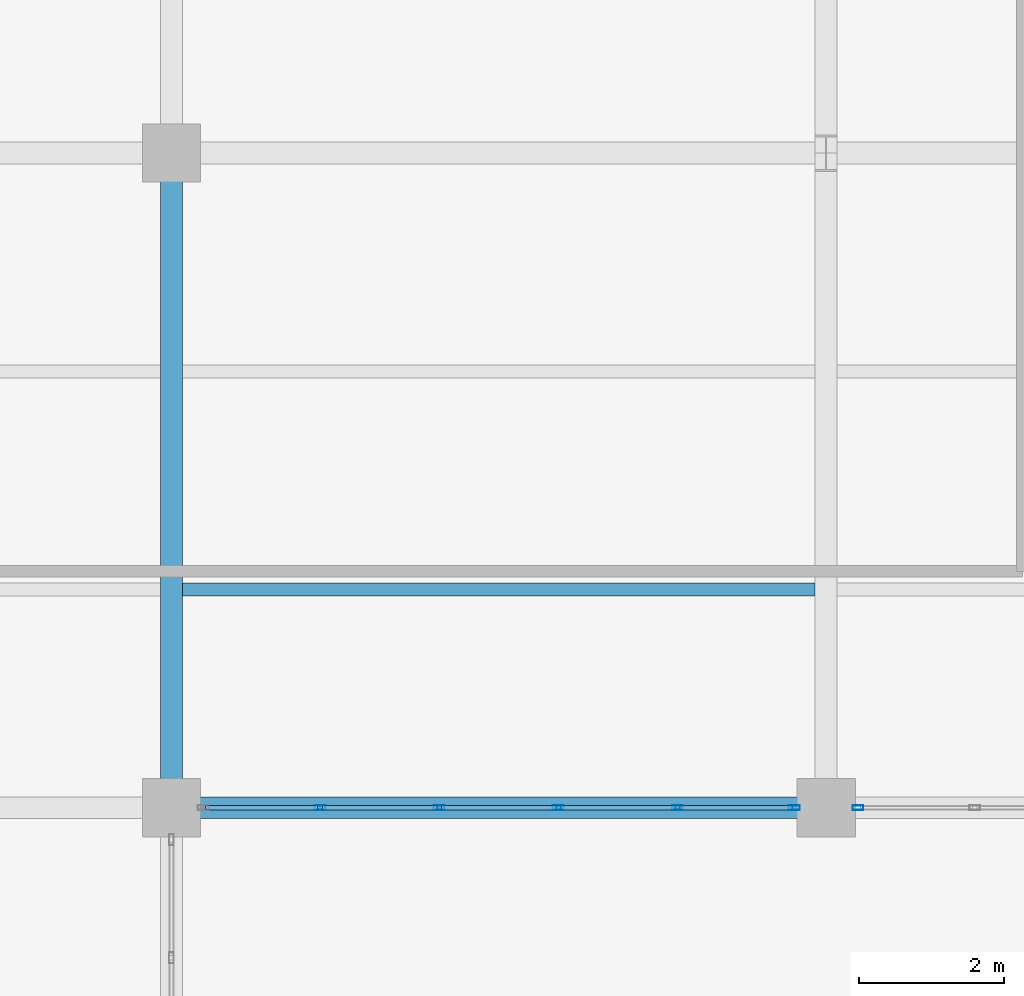
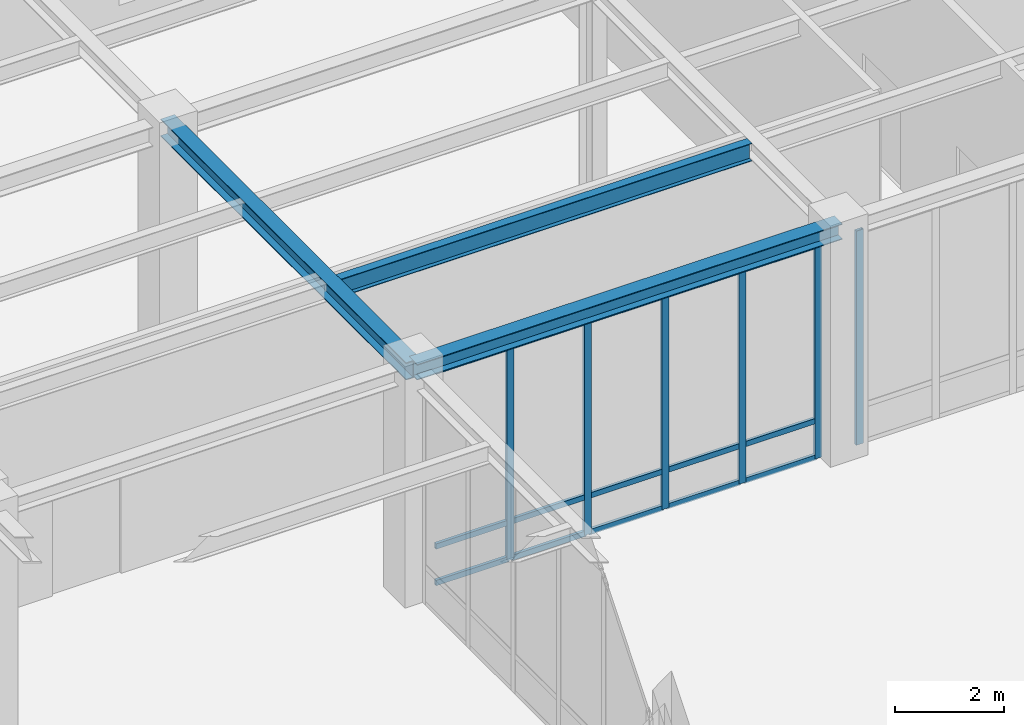
# One storey, part 48 of 77: 21 members, 3 beams, 2 elements without a shape of their own.
"""IFC4 building model written with IfcOpenShell, lengths in metres."""

from ifc_helpers import new_model, si_unit, direction, frame, origin, origin_2d, place, context, subcontext, project, spatial, hollow_rectangle, i_section, extrude, material, material_profile, profile_set, type_object, element, aggregate, save


model = new_model("IFC4")

# Units and contexts
model_context = context("Model", 3, precision=1e-05, world=origin(), true_north=direction((0.0, 1.0)))
body_context = subcontext(model_context, "Body", "Model", "MODEL_VIEW")
ifc_project = project(units=[si_unit("LENGTHUNIT", "METRE"), si_unit("AREAUNIT", "SQUARE_METRE"), si_unit("VOLUMEUNIT", "CUBIC_METRE"), si_unit("PLANEANGLEUNIT", "RADIAN"), si_unit("MASSUNIT", "GRAM", prefix="KILO")], contexts=[model_context])

# Site, building, storey
site_placement = place(None, origin())
site = spatial("IfcSite", under=ifc_project, at=site_placement, CompositionType="ELEMENT")
building_placement = place(site_placement, origin())
building = spatial("IfcBuilding", under=site, at=building_placement, Name="Lykobir Media Centre", CompositionType="ELEMENT")
storey_placement = place(building_placement, origin())
storey = spatial("IfcBuildingStorey", under=building, at=storey_placement, Name="L00", CompositionType="ELEMENT", Elevation=0.0)

# Beam
ifc_material_1 = material(Name="Steel S355", Category="steel")
ifc_material_profile_1 = material_profile(ifc_material_1, i_section(OverallWidth=0.300048828125, OverallDepth=0.389892578125, WebThickness=0.010986328125, FlangeThickness=0.01904296875, at=origin_2d()), Name="HEA 400")
ifc_profile_set_1 = profile_set([ifc_material_profile_1], Name="Steel S355")
beam_type_1 = type_object("IfcBeamType", Name="BM-HEA400", PredefinedType="BEAM", material=ifc_profile_set_1)
beam_1_placement = place(storey_placement, frame((108.0, 72.0, 4.965087890625), z_axis=(0.0, 1.0, 0.0), x_axis=(-1.0, 0.0, 0.0)))
element("IfcBeam", 1, at=beam_1_placement, inside=storey, type_object=beam_type_1, Name="Beam BM-L00-1080-0720-1080-0810-496", PredefinedType="BEAM", context=body_context, shape_type="SweptSolid", body=[
    extrude(i_section(OverallWidth=0.300048828125, OverallDepth=0.389892578125, WebThickness=0.010986328125, FlangeThickness=0.01904296875, at=origin_2d()), origin(), (0.0, 0.0, 1.0), 9.0),
])

# Curtain wall, members
ifc_material_2 = material(Name="Anodized Aluminium AW-6060", Category="aluminium")
curtain_wall_type = type_object("IfcCurtainWallType", Name="CW-COURT-A", PredefinedType="NOTDEFINED", material=ifc_material_2)
curtain_wall_1_placement = place(storey_placement, origin())
curtain_wall_1 = element("IfcCurtainWall", 2, at=curtain_wall_1_placement, inside=storey, type_object=curtain_wall_type, Name="Curtain wall CW2-L00-0008", PredefinedType="NOTDEFINED")
ifc_material_profile_2 = material_profile(ifc_material_2, hollow_rectangle(XDim=0.06494140625, YDim=0.14990234375, WallThickness=0.00341796875, at=origin_2d()), Name="ALU MULLION 65x150")
ifc_profile_set_2 = profile_set([ifc_material_profile_2], Name="Anodized Aluminium AW-6060")
member_type_1 = type_object("IfcMemberType", Name="CWM-150", PredefinedType="MULLION", material=ifc_profile_set_2)
member_1_placement = place(storey_placement, frame((116.5625, 72.0, 0.0), z_axis=(0.0, 0.0, 1.0), x_axis=(0.0, -1.0, 0.0)))
member_1 = element("IfcMember", 3, at=member_1_placement, type_object=member_type_1, Name="CW2-L00-0008 mullion 1", PredefinedType="MULLION", context=body_context, shape_type="SweptSolid", body=[
    extrude(hollow_rectangle(XDim=0.06494140625, YDim=0.14990234375, WallThickness=0.00341796875, at=origin_2d()), origin(), (0.0, 0.0, 1.0), 4.794921875),
])
member_2_placement = place(storey_placement, frame((114.95703125, 72.0, 0.0), z_axis=(0.0, 0.0, 1.0), x_axis=(0.0, -1.0, 0.0)))
member_2 = element("IfcMember", 4, at=member_2_placement, type_object=member_type_1, Name="CW2-L00-0008 mullion 2", PredefinedType="MULLION", context=body_context, shape_type="SweptSolid", body=[
    extrude(hollow_rectangle(XDim=0.06494140625, YDim=0.14990234375, WallThickness=0.00341796875, at=origin_2d()), origin(), (0.0, 0.0, 1.0), 4.794921875),
])
member_3_placement = place(storey_placement, frame((113.319091796875, 72.0, 0.0), z_axis=(0.0, 0.0, 1.0), x_axis=(0.0, -1.0, 0.0)))
member_3 = element("IfcMember", 5, at=member_3_placement, type_object=member_type_1, Name="CW2-L00-0008 mullion 3", PredefinedType="MULLION", context=body_context, shape_type="SweptSolid", body=[
    extrude(hollow_rectangle(XDim=0.06494140625, YDim=0.14990234375, WallThickness=0.00341796875, at=origin_2d()), origin(), (0.0, 0.0, 1.0), 4.794921875),
])
member_4_placement = place(storey_placement, frame((111.680908203125, 72.0, 0.0), z_axis=(0.0, 0.0, 1.0), x_axis=(0.0, -1.0, 0.0)))
member_4 = element("IfcMember", 6, at=member_4_placement, type_object=member_type_1, Name="CW2-L00-0008 mullion 4", PredefinedType="MULLION", context=body_context, shape_type="SweptSolid", body=[
    extrude(hollow_rectangle(XDim=0.06494140625, YDim=0.14990234375, WallThickness=0.00341796875, at=origin_2d()), origin(), (0.0, 0.0, 1.0), 4.794921875),
])
member_5_placement = place(storey_placement, frame((110.04296875, 72.0, 0.0), z_axis=(0.0, 0.0, 1.0), x_axis=(0.0, -1.0, 0.0)))
member_5 = element("IfcMember", 7, at=member_5_placement, type_object=member_type_1, Name="CW2-L00-0008 mullion 5", PredefinedType="MULLION", context=body_context, shape_type="SweptSolid", body=[
    extrude(hollow_rectangle(XDim=0.06494140625, YDim=0.14990234375, WallThickness=0.00341796875, at=origin_2d()), origin(), (0.0, 0.0, 1.0), 4.794921875),
])

# Curtain wall, member
curtain_wall_2_placement = place(storey_placement, origin())
curtain_wall_2 = element("IfcCurtainWall", 8, at=curtain_wall_2_placement, inside=storey, type_object=curtain_wall_type, Name="Curtain wall CW2-L00-0009", PredefinedType="NOTDEFINED")
member_6_placement = place(storey_placement, frame((117.4375, 72.0, 0.0), z_axis=(0.0, 0.0, 1.0), x_axis=(0.0, -1.0, 0.0)))
member_6 = element("IfcMember", 9, at=member_6_placement, type_object=member_type_1, Name="CW2-L00-0009 mullion 6", PredefinedType="MULLION", context=body_context, shape_type="SweptSolid", body=[
    extrude(hollow_rectangle(XDim=0.06494140625, YDim=0.14990234375, WallThickness=0.00341796875, at=origin_2d()), origin(), (0.0, 0.0, 1.0), 4.794921875),
])
aggregate(curtain_wall_2, [member_6])

# Member
ifc_material_profile_3 = material_profile(ifc_material_2, hollow_rectangle(XDim=0.06494140625, YDim=0.1201171875, WallThickness=0.0029296875, at=origin_2d()), Name="ALU TRANSOM 65x120")
ifc_profile_set_3 = profile_set([ifc_material_profile_3], Name="Anodized Aluminium AW-6060")
member_type_2 = type_object("IfcMemberType", Name="CWT-120", PredefinedType="USERDEFINED", material=ifc_profile_set_3)
member_7_placement = place(storey_placement, frame((116.530029296875, 72.0, 0.032470703125), z_axis=(-1.0, 0.0, 0.0), x_axis=(0.0, -1.0, 0.0)))
member_7 = element("IfcMember", 10, at=member_7_placement, type_object=member_type_2, Name="CW2-L00-0008 transom 1.1", ObjectType="TRANSOM", PredefinedType="USERDEFINED", context=body_context, shape_type="SweptSolid", body=[
    extrude(hollow_rectangle(XDim=0.06494140625, YDim=0.1201171875, WallThickness=0.0029296875, at=origin_2d()), origin(), (0.0, 0.0, 1.0), 1.54052734375),
])

member_8_placement = place(storey_placement, frame((116.530029296875, 72.0, 0.85009765625), z_axis=(-1.0, 0.0, 0.0), x_axis=(0.0, -1.0, 0.0)))
member_8 = element("IfcMember", 11, at=member_8_placement, type_object=member_type_2, Name="CW2-L00-0008 transom 1.2", ObjectType="TRANSOM", PredefinedType="USERDEFINED", context=body_context, shape_type="SweptSolid", body=[
    extrude(hollow_rectangle(XDim=0.06494140625, YDim=0.1201171875, WallThickness=0.0029296875, at=origin_2d()), origin(), (0.0, 0.0, 1.0), 1.54052734375),
])

member_9_placement = place(storey_placement, frame((116.530029296875, 72.0, 4.762451171875), z_axis=(-1.0, 0.0, 0.0), x_axis=(0.0, -1.0, 0.0)))
member_9 = element("IfcMember", 12, at=member_9_placement, type_object=member_type_2, Name="CW2-L00-0008 transom 1.3", ObjectType="TRANSOM", PredefinedType="USERDEFINED", context=body_context, shape_type="SweptSolid", body=[
    extrude(hollow_rectangle(XDim=0.06494140625, YDim=0.1201171875, WallThickness=0.0029296875, at=origin_2d()), origin(), (0.0, 0.0, 1.0), 1.54052734375),
])

member_10_placement = place(storey_placement, frame((114.924560546875, 72.0, 0.032470703125), z_axis=(-1.0, 0.0, 0.0), x_axis=(0.0, -1.0, 0.0)))
member_10 = element("IfcMember", 13, at=member_10_placement, type_object=member_type_2, Name="CW2-L00-0008 transom 2.1", ObjectType="TRANSOM", PredefinedType="USERDEFINED", context=body_context, shape_type="SweptSolid", body=[
    extrude(hollow_rectangle(XDim=0.06494140625, YDim=0.1201171875, WallThickness=0.0029296875, at=origin_2d()), origin(), (0.0, 0.0, 1.0), 1.572998046875),
])

member_11_placement = place(storey_placement, frame((114.924560546875, 72.0, 0.85009765625), z_axis=(-1.0, 0.0, 0.0), x_axis=(0.0, -1.0, 0.0)))
member_11 = element("IfcMember", 14, at=member_11_placement, type_object=member_type_2, Name="CW2-L00-0008 transom 2.2", ObjectType="TRANSOM", PredefinedType="USERDEFINED", context=body_context, shape_type="SweptSolid", body=[
    extrude(hollow_rectangle(XDim=0.06494140625, YDim=0.1201171875, WallThickness=0.0029296875, at=origin_2d()), origin(), (0.0, 0.0, 1.0), 1.572998046875),
])

member_12_placement = place(storey_placement, frame((114.924560546875, 72.0, 4.762451171875), z_axis=(-1.0, 0.0, 0.0), x_axis=(0.0, -1.0, 0.0)))
member_12 = element("IfcMember", 15, at=member_12_placement, type_object=member_type_2, Name="CW2-L00-0008 transom 2.3", ObjectType="TRANSOM", PredefinedType="USERDEFINED", context=body_context, shape_type="SweptSolid", body=[
    extrude(hollow_rectangle(XDim=0.06494140625, YDim=0.1201171875, WallThickness=0.0029296875, at=origin_2d()), origin(), (0.0, 0.0, 1.0), 1.572998046875),
])

member_13_placement = place(storey_placement, frame((113.28662109375, 72.0, 0.032470703125), z_axis=(-1.0, 0.0, 0.0), x_axis=(0.0, -1.0, 0.0)))
member_13 = element("IfcMember", 16, at=member_13_placement, type_object=member_type_2, Name="CW2-L00-0008 transom 3.1", ObjectType="TRANSOM", PredefinedType="USERDEFINED", context=body_context, shape_type="SweptSolid", body=[
    extrude(hollow_rectangle(XDim=0.06494140625, YDim=0.1201171875, WallThickness=0.0029296875, at=origin_2d()), origin(), (0.0, 0.0, 1.0), 1.5732421875),
])

member_14_placement = place(storey_placement, frame((113.28662109375, 72.0, 0.85009765625), z_axis=(-1.0, 0.0, 0.0), x_axis=(0.0, -1.0, 0.0)))
member_14 = element("IfcMember", 17, at=member_14_placement, type_object=member_type_2, Name="CW2-L00-0008 transom 3.2", ObjectType="TRANSOM", PredefinedType="USERDEFINED", context=body_context, shape_type="SweptSolid", body=[
    extrude(hollow_rectangle(XDim=0.06494140625, YDim=0.1201171875, WallThickness=0.0029296875, at=origin_2d()), origin(), (0.0, 0.0, 1.0), 1.5732421875),
])

member_15_placement = place(storey_placement, frame((113.28662109375, 72.0, 4.762451171875), z_axis=(-1.0, 0.0, 0.0), x_axis=(0.0, -1.0, 0.0)))
member_15 = element("IfcMember", 18, at=member_15_placement, type_object=member_type_2, Name="CW2-L00-0008 transom 3.3", ObjectType="TRANSOM", PredefinedType="USERDEFINED", context=body_context, shape_type="SweptSolid", body=[
    extrude(hollow_rectangle(XDim=0.06494140625, YDim=0.1201171875, WallThickness=0.0029296875, at=origin_2d()), origin(), (0.0, 0.0, 1.0), 1.5732421875),
])

member_16_placement = place(storey_placement, frame((111.6484375, 72.0, 0.032470703125), z_axis=(-1.0, 0.0, 0.0), x_axis=(0.0, -1.0, 0.0)))
member_16 = element("IfcMember", 19, at=member_16_placement, type_object=member_type_2, Name="CW2-L00-0008 transom 4.1", ObjectType="TRANSOM", PredefinedType="USERDEFINED", context=body_context, shape_type="SweptSolid", body=[
    extrude(hollow_rectangle(XDim=0.06494140625, YDim=0.1201171875, WallThickness=0.0029296875, at=origin_2d()), origin(), (0.0, 0.0, 1.0), 1.572998046875),
])

member_17_placement = place(storey_placement, frame((111.6484375, 72.0, 0.85009765625), z_axis=(-1.0, 0.0, 0.0), x_axis=(0.0, -1.0, 0.0)))
member_17 = element("IfcMember", 20, at=member_17_placement, type_object=member_type_2, Name="CW2-L00-0008 transom 4.2", ObjectType="TRANSOM", PredefinedType="USERDEFINED", context=body_context, shape_type="SweptSolid", body=[
    extrude(hollow_rectangle(XDim=0.06494140625, YDim=0.1201171875, WallThickness=0.0029296875, at=origin_2d()), origin(), (0.0, 0.0, 1.0), 1.572998046875),
])

member_18_placement = place(storey_placement, frame((111.6484375, 72.0, 4.762451171875), z_axis=(-1.0, 0.0, 0.0), x_axis=(0.0, -1.0, 0.0)))
member_18 = element("IfcMember", 21, at=member_18_placement, type_object=member_type_2, Name="CW2-L00-0008 transom 4.3", ObjectType="TRANSOM", PredefinedType="USERDEFINED", context=body_context, shape_type="SweptSolid", body=[
    extrude(hollow_rectangle(XDim=0.06494140625, YDim=0.1201171875, WallThickness=0.0029296875, at=origin_2d()), origin(), (0.0, 0.0, 1.0), 1.572998046875),
])

member_19_placement = place(storey_placement, frame((110.010498046875, 72.0, 0.032470703125), z_axis=(-1.0, 0.0, 0.0), x_axis=(0.0, -1.0, 0.0)))
member_19 = element("IfcMember", 22, at=member_19_placement, type_object=member_type_2, Name="CW2-L00-0008 transom 5.1", ObjectType="TRANSOM", PredefinedType="USERDEFINED", context=body_context, shape_type="SweptSolid", body=[
    extrude(hollow_rectangle(XDim=0.06494140625, YDim=0.1201171875, WallThickness=0.0029296875, at=origin_2d()), origin(), (0.0, 0.0, 1.0), 1.54052734375),
])

member_20_placement = place(storey_placement, frame((110.010498046875, 72.0, 0.85009765625), z_axis=(-1.0, 0.0, 0.0), x_axis=(0.0, -1.0, 0.0)))
member_20 = element("IfcMember", 23, at=member_20_placement, type_object=member_type_2, Name="CW2-L00-0008 transom 5.2", ObjectType="TRANSOM", PredefinedType="USERDEFINED", context=body_context, shape_type="SweptSolid", body=[
    extrude(hollow_rectangle(XDim=0.06494140625, YDim=0.1201171875, WallThickness=0.0029296875, at=origin_2d()), origin(), (0.0, 0.0, 1.0), 1.54052734375),
])

member_21_placement = place(storey_placement, frame((110.010498046875, 72.0, 4.762451171875), z_axis=(-1.0, 0.0, 0.0), x_axis=(0.0, -1.0, 0.0)))
member_21 = element("IfcMember", 24, at=member_21_placement, type_object=member_type_2, Name="CW2-L00-0008 transom 5.3", ObjectType="TRANSOM", PredefinedType="USERDEFINED", context=body_context, shape_type="SweptSolid", body=[
    extrude(hollow_rectangle(XDim=0.06494140625, YDim=0.1201171875, WallThickness=0.0029296875, at=origin_2d()), origin(), (0.0, 0.0, 1.0), 1.54052734375),
])

aggregate(curtain_wall_1, [member_1, member_2, member_3, member_4, member_5, member_7, member_8, member_9, member_10, member_11, member_12, member_13, member_14, member_15, member_16, member_17, member_18, member_19, member_20, member_21])

# Beams
ifc_material_profile_4 = material_profile(ifc_material_1, i_section(OverallWidth=0.179931640625, OverallDepth=0.39990234375, WebThickness=0.008544921875, FlangeThickness=0.013427734375, at=origin_2d()), Name="IPE 400")
ifc_profile_set_4 = profile_set([ifc_material_profile_4], Name="Steel S355")
beam_type_2 = type_object("IfcBeamType", Name="JS-IPE400", PredefinedType="JOIST", material=ifc_profile_set_4)
beam_2_placement = place(storey_placement, frame((108.14990234375, 75.0, 4.9599609375), z_axis=(1.0, 0.0, 0.0), x_axis=(0.0, 1.0, 0.0)))
element("IfcBeam", 25, at=beam_2_placement, inside=storey, type_object=beam_type_2, Name="Beam BM-L00-1082-0750-1168-0750-496", PredefinedType="JOIST", context=body_context, shape_type="SweptSolid", body=[
    extrude(i_section(OverallWidth=0.179931640625, OverallDepth=0.39990234375, WebThickness=0.008544921875, FlangeThickness=0.013427734375, at=origin_2d()), origin(), (0.0, 0.0, 1.0), 8.7001953125),
])
ifc_material_profile_5 = material_profile(ifc_material_1, i_section(OverallWidth=0.300048828125, OverallDepth=0.35009765625, WebThickness=0.010009765625, FlangeThickness=0.017578125, at=origin_2d()), Name="HEA 360")
ifc_profile_set_5 = profile_set([ifc_material_profile_5], Name="Steel S355")
beam_type_3 = type_object("IfcBeamType", Name="SP-HEA360", PredefinedType="SPANDREL", material=ifc_profile_set_5)
beam_3_placement = place(storey_placement, frame((108.0, 72.0, 4.985107421875), z_axis=(1.0, 0.0, 0.0), x_axis=(0.0, 1.0, 0.0)))
element("IfcBeam", 26, at=beam_3_placement, inside=storey, type_object=beam_type_3, Name="Beam BM-L00-1080-0720-1170-0720-499", PredefinedType="SPANDREL", context=body_context, shape_type="SweptSolid", body=[
    extrude(i_section(OverallWidth=0.300048828125, OverallDepth=0.35009765625, WebThickness=0.010009765625, FlangeThickness=0.017578125, at=origin_2d()), origin(), (0.0, 0.0, 1.0), 9.0),
])

save(model, "model.ifc")
